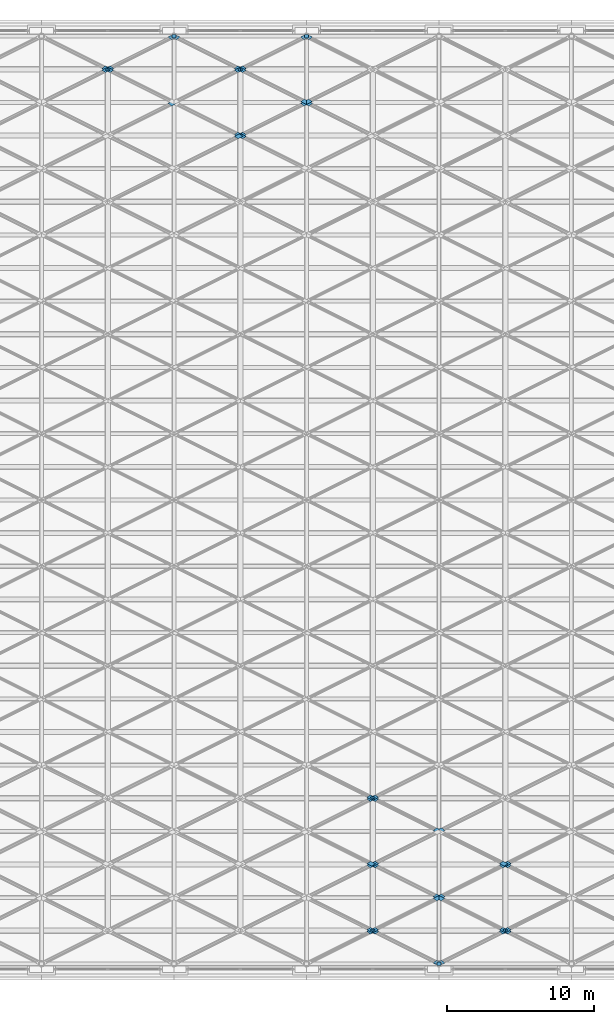
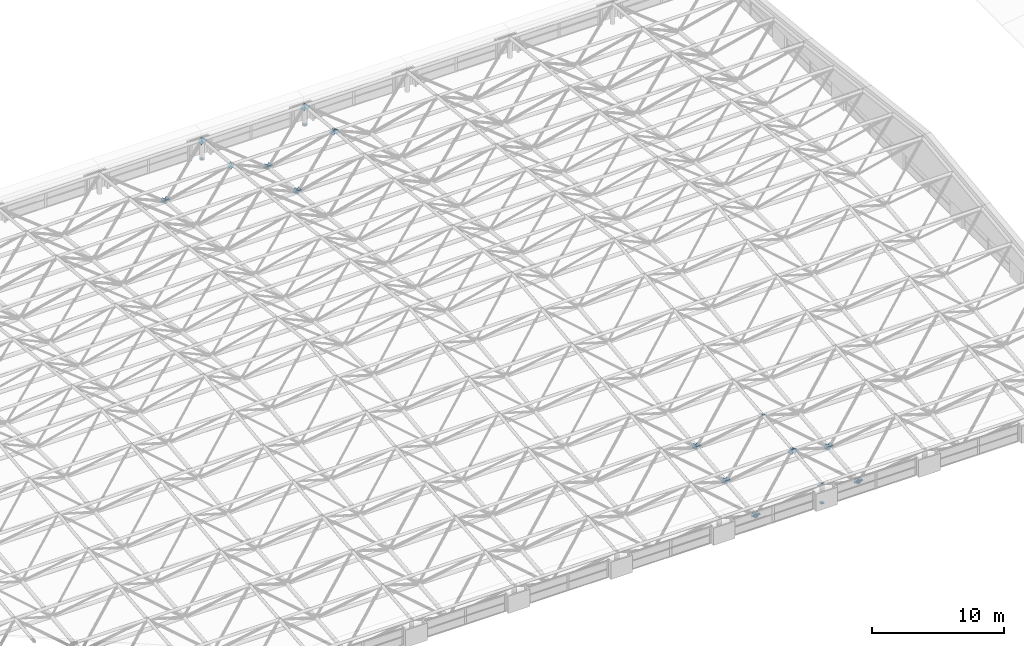
# One storey, part 43 of 53: 52 discrete accessories.
"""IFC4 building model written with IfcOpenShell, lengths in metres."""

from ifc_helpers import new_model, si_unit, direction, frame, origin, origin_2d, place, context, subcontext, project, spatial, polyline, rectangle, outline, extrude, material, layer, layer_set, type_object, element, save


model = new_model("IFC4")

# Units and contexts
model_context = context("Model", 3, precision=1e-05, world=origin(), true_north=direction((0.0, 1.0)))
body_context = subcontext(model_context, "Body", "Model", "MODEL_VIEW")
ifc_project = project(units=[si_unit("LENGTHUNIT", "METRE"), si_unit("AREAUNIT", "SQUARE_METRE"), si_unit("VOLUMEUNIT", "CUBIC_METRE"), si_unit("PLANEANGLEUNIT", "RADIAN"), si_unit("MASSUNIT", "GRAM", prefix="KILO")], contexts=[model_context])

# Site, building, storey
site_placement = place(None, origin())
site = spatial("IfcSite", under=ifc_project, at=site_placement, CompositionType="ELEMENT")
building_placement = place(site_placement, origin())
building = spatial("IfcBuilding", under=site, at=building_placement, Name="Aravalli Gate Trade Fair Centre", CompositionType="ELEMENT")
storey_placement = place(building_placement, frame((0.0, 0.0, 25.199951171875)))
storey = spatial("IfcBuildingStorey", under=building, at=storey_placement, Name="ROOF LEVEL 2", CompositionType="ELEMENT", Elevation=25.199951171875)

# Discrete accessories
ifc_material = material(Name="Steel E350", Category="steel")
discrete_accessory_type_1 = type_object("IfcDiscreteAccessoryType", Name="Bearing shoe fixed", PredefinedType="BRACKET", material=ifc_material)
discrete_accessory_1_placement = place(storey_placement, frame((78.0, 46.0, 0.0), z_axis=(0.0, 0.0, 1.0), x_axis=(1.0, 0.0, 0.0)))
element("IfcDiscreteAccessory", 1, at=discrete_accessory_1_placement, inside=storey, type_object=discrete_accessory_type_1, Name="Bearing shoe A9 (fixed)", PredefinedType="BRACKET", context=body_context, shape_type="SweptSolid", body=[
    extrude(rectangle(XDim=0.260009765625, YDim=0.260009765625, at=origin_2d()), origin(), (0.0, 0.0, 1.0), 0.10009765625),
])
discrete_accessory_type_2 = type_object("IfcDiscreteAccessoryType", Name="Bearing shoe sliding along the vault", PredefinedType="BRACKET", material=ifc_material)
for number, where, z_axis, x_axis, name in (
    (2, (60.0, 109.0, 0.0), (0.0, 0.0, 1.0), (1.0, 0.0, 0.0), "Bearing shoe H7 (sliding)"),
    (3, (69.0, 109.0, 0.0), (0.0, 0.0, 1.0), (1.0, 0.0, 0.0), "Bearing shoe H8 (sliding)"),
):
    element("IfcDiscreteAccessory", number, at=place(storey_placement, frame(where, z_axis=z_axis, x_axis=x_axis)), inside=storey, type_object=discrete_accessory_type_2, Name=name, PredefinedType="BRACKET", context=body_context, shape_type="SweptSolid", body=[
        extrude(rectangle(XDim=0.260009765625, YDim=0.260009765625, at=origin_2d()), origin(), (0.0, 0.0, 1.0), 0.10009765625),
    ])
ifc_layer = layer(ifc_material, 0.011962890625)
ifc_layer_set = layer_set([ifc_layer], Name="Steel E350")
discrete_accessory_type_3 = type_object("IfcDiscreteAccessoryType", Name="Gusset plate 367 x 367 x 12", PredefinedType="USERDEFINED", material=ifc_layer_set)
discrete_accessory_2_placement = place(storey_placement, frame((73.0986328125, 48.201416015625, -0.905517578125), z_axis=(-0.000106895173, 0.77673595722, 0.629826358082), x_axis=(0.783044443413, 0.391795440284, -0.483050445204)))
element("IfcDiscreteAccessory", 4, at=discrete_accessory_2_placement, inside=storey, type_object=discrete_accessory_type_3, Name="Gusset plate Space frame web diagonal D1A end B", ObjectType="GUSSET PLATE", PredefinedType="USERDEFINED", context=body_context, shape_type="SweptSolid", body=[
    extrude(outline(polyline([(0.0, 0.0), (0.4467862821424865, 0.0), (0.4468639253124893, -0.3669184164565776), (7.764317000273635e-05, -0.36691841645657763), (0.0, 0.0)])), origin(), (0.0, 0.0, -1.0), 0.011962890625),
])
discrete_accessory_3_placement = place(storey_placement, frame((78.173095703125, 46.23876953125, 1.51513671875), z_axis=(-0.000106895173, 0.77673595722, 0.629826358082), x_axis=(-0.783044443413, -0.391795440284, 0.483050445204)))
element("IfcDiscreteAccessory", 5, at=discrete_accessory_3_placement, inside=storey, type_object=discrete_accessory_type_3, Name="Gusset plate Space frame web diagonal D1A end A", ObjectType="GUSSET PLATE", PredefinedType="USERDEFINED", context=body_context, shape_type="SweptSolid", body=[
    extrude(outline(polyline([(0.0, 0.0), (0.4467862821424865, 0.0), (0.4467086389724838, 0.36691841645657763), (-7.764317000273635e-05, 0.36691841645657763), (0.0, 0.0)])), origin(), (0.0, 0.0, -1.0), 0.011962890625),
])
for number, where, z_axis, x_axis, name in (
    (6, (82.0986328125, 48.201416015625, -0.905517578125), (-0.000106895173, 0.77673595722, 0.629826358082), (0.783044443413, 0.391795440284, -0.483050445204), "Gusset plate Space frame web diagonal D1A end B"),
    (7, (73.0986328125, 52.701416015625, -0.45556640625), (-0.000106895173, 0.77673595722, 0.629826358082), (0.783044443413, 0.391795440284, -0.483050445204), "Gusset plate Space frame web diagonal D1A end B"),
):
    element("IfcDiscreteAccessory", number, at=place(storey_placement, frame(where, z_axis=z_axis, x_axis=x_axis)), inside=storey, type_object=discrete_accessory_type_3, Name=name, ObjectType="GUSSET PLATE", PredefinedType="USERDEFINED", context=body_context, shape_type="SweptSolid", body=[
        extrude(outline(polyline([(0.0, 0.0), (0.4467862821424865, 0.0), (0.4468639253124893, -0.3669184164565776), (7.764317000273635e-05, -0.36691841645657763), (0.0, 0.0)])), origin(), (0.0, 0.0, -1.0), 0.011962890625),
    ])
discrete_accessory_4_placement = place(storey_placement, frame((78.173095703125, 50.73876953125, 1.965087890625), z_axis=(-0.000106895173, 0.77673595722, 0.629826358082), x_axis=(-0.783044443413, -0.391795440284, 0.483050445204)))
element("IfcDiscreteAccessory", 8, at=discrete_accessory_4_placement, inside=storey, type_object=discrete_accessory_type_3, Name="Gusset plate Space frame web diagonal D1A end A", ObjectType="GUSSET PLATE", PredefinedType="USERDEFINED", context=body_context, shape_type="SweptSolid", body=[
    extrude(outline(polyline([(0.0, 0.0), (0.4467862821424865, 0.0), (0.4467086389724838, 0.36691841645657763), (-7.764317000273635e-05, 0.36691841645657763), (0.0, 0.0)])), origin(), (0.0, 0.0, -1.0), 0.011962890625),
])
for number, where, z_axis, x_axis, name in (
    (9, (82.0986328125, 52.701416015625, -0.45556640625), (-0.000106895173, 0.77673595722, 0.629826358082), (0.783044443413, 0.391795440284, -0.483050445204), "Gusset plate Space frame web diagonal D1A end B"),
    (10, (73.0986328125, 57.201416015625, -0.005615234375), (-0.000106895173, 0.77673595722, 0.629826358082), (0.783044443413, 0.391795440284, -0.483050445204), "Gusset plate Space frame web diagonal D1A end B"),
):
    element("IfcDiscreteAccessory", number, at=place(storey_placement, frame(where, z_axis=z_axis, x_axis=x_axis)), inside=storey, type_object=discrete_accessory_type_3, Name=name, ObjectType="GUSSET PLATE", PredefinedType="USERDEFINED", context=body_context, shape_type="SweptSolid", body=[
        extrude(outline(polyline([(0.0, 0.0), (0.4467862821424865, 0.0), (0.4468639253124893, -0.3669184164565776), (7.764317000273635e-05, -0.36691841645657763), (0.0, 0.0)])), origin(), (0.0, 0.0, -1.0), 0.011962890625),
    ])
discrete_accessory_5_placement = place(storey_placement, frame((78.173095703125, 55.23876953125, 2.4150390625), z_axis=(-0.000106895173, 0.77673595722, 0.629826358082), x_axis=(-0.783044443413, -0.391795440284, 0.483050445204)))
element("IfcDiscreteAccessory", 11, at=discrete_accessory_5_placement, inside=storey, type_object=discrete_accessory_type_3, Name="Gusset plate Space frame web diagonal D1A end A", ObjectType="GUSSET PLATE", PredefinedType="USERDEFINED", context=body_context, shape_type="SweptSolid", body=[
    extrude(outline(polyline([(0.0, 0.0), (0.4467862821424865, 0.0), (0.4467086389724838, 0.36691841645657763), (-7.764317000273635e-05, 0.36691841645657763), (0.0, 0.0)])), origin(), (0.0, 0.0, -1.0), 0.011962890625),
])
discrete_accessory_6_placement = place(storey_placement, frame((77.5986328125, 46.057861328125, 1.73828125), z_axis=(0.000106895173, 0.77673595722, 0.629826358082), x_axis=(0.783044443413, -0.391795440284, 0.483050445204)))
element("IfcDiscreteAccessory", 12, at=discrete_accessory_6_placement, inside=storey, type_object=discrete_accessory_type_3, Name="Gusset plate Space frame web diagonal D1B end A", ObjectType="GUSSET PLATE", PredefinedType="USERDEFINED", context=body_context, shape_type="SweptSolid", body=[
    extrude(outline(polyline([(0.0, 0.0), (0.4467862821424865, 0.0), (0.4468639253124893, 0.3669184164565776), (7.764317000273635e-05, 0.36691841645657763), (0.0, 0.0)])), origin(), (0.0, 0.0, -1.0), 0.011962890625),
])
for number, where, z_axis, x_axis, name in (
    (13, (73.673095703125, 48.0205078125, -0.682373046875), (0.000106895173, 0.77673595722, 0.629826358082), (-0.783044443413, 0.391795440284, -0.483050445204), "Gusset plate Space frame web diagonal D1B end B"),
    (14, (82.673095703125, 48.0205078125, -0.682373046875), (0.000106895173, 0.77673595722, 0.629826358082), (-0.783044443413, 0.391795440284, -0.483050445204), "Gusset plate Space frame web diagonal D1B end B"),
):
    element("IfcDiscreteAccessory", number, at=place(storey_placement, frame(where, z_axis=z_axis, x_axis=x_axis)), inside=storey, type_object=discrete_accessory_type_3, Name=name, ObjectType="GUSSET PLATE", PredefinedType="USERDEFINED", context=body_context, shape_type="SweptSolid", body=[
        extrude(outline(polyline([(0.0, 0.0), (0.4467862821424865, 0.0), (0.4467086389724838, -0.36691841645657763), (-7.764317000273635e-05, -0.36691841645657763), (0.0, 0.0)])), origin(), (0.0, 0.0, -1.0), 0.011962890625),
    ])
discrete_accessory_7_placement = place(storey_placement, frame((77.5986328125, 50.557861328125, 2.188232421875), z_axis=(0.000106895173, 0.77673595722, 0.629826358082), x_axis=(0.783044443413, -0.391795440284, 0.483050445204)))
element("IfcDiscreteAccessory", 15, at=discrete_accessory_7_placement, inside=storey, type_object=discrete_accessory_type_3, Name="Gusset plate Space frame web diagonal D1B end A", ObjectType="GUSSET PLATE", PredefinedType="USERDEFINED", context=body_context, shape_type="SweptSolid", body=[
    extrude(outline(polyline([(0.0, 0.0), (0.4467862821424865, 0.0), (0.4468639253124893, 0.3669184164565776), (7.764317000273635e-05, 0.36691841645657763), (0.0, 0.0)])), origin(), (0.0, 0.0, -1.0), 0.011962890625),
])
for number, where, z_axis, x_axis, name in (
    (16, (73.673095703125, 52.5205078125, -0.232421875), (0.000106895173, 0.77673595722, 0.629826358082), (-0.783044443413, 0.391795440284, -0.483050445204), "Gusset plate Space frame web diagonal D1B end B"),
    (17, (82.673095703125, 52.5205078125, -0.232421875), (0.000106895173, 0.77673595722, 0.629826358082), (-0.783044443413, 0.391795440284, -0.483050445204), "Gusset plate Space frame web diagonal D1B end B"),
):
    element("IfcDiscreteAccessory", number, at=place(storey_placement, frame(where, z_axis=z_axis, x_axis=x_axis)), inside=storey, type_object=discrete_accessory_type_3, Name=name, ObjectType="GUSSET PLATE", PredefinedType="USERDEFINED", context=body_context, shape_type="SweptSolid", body=[
        extrude(outline(polyline([(0.0, 0.0), (0.4467862821424865, 0.0), (0.4467086389724838, -0.36691841645657763), (-7.764317000273635e-05, -0.36691841645657763), (0.0, 0.0)])), origin(), (0.0, 0.0, -1.0), 0.011962890625),
    ])
discrete_accessory_8_placement = place(storey_placement, frame((77.5986328125, 55.057861328125, 2.63818359375), z_axis=(0.000106895173, 0.77673595722, 0.629826358082), x_axis=(0.783044443413, -0.391795440284, 0.483050445204)))
element("IfcDiscreteAccessory", 18, at=discrete_accessory_8_placement, inside=storey, type_object=discrete_accessory_type_3, Name="Gusset plate Space frame web diagonal D1B end A", ObjectType="GUSSET PLATE", PredefinedType="USERDEFINED", context=body_context, shape_type="SweptSolid", body=[
    extrude(outline(polyline([(0.0, 0.0), (0.4467862821424865, 0.0), (0.4468639253124893, 0.3669184164565776), (7.764317000273635e-05, 0.36691841645657763), (0.0, 0.0)])), origin(), (0.0, 0.0, -1.0), 0.011962890625),
])
discrete_accessory_9_placement = place(storey_placement, frame((73.673095703125, 57.0205078125, 0.217529296875), z_axis=(0.000106895173, 0.77673595722, 0.629826358082), x_axis=(-0.783044443413, 0.391795440284, -0.483050445204)))
element("IfcDiscreteAccessory", 19, at=discrete_accessory_9_placement, inside=storey, type_object=discrete_accessory_type_3, Name="Gusset plate Space frame web diagonal D1B end B", ObjectType="GUSSET PLATE", PredefinedType="USERDEFINED", context=body_context, shape_type="SweptSolid", body=[
    extrude(outline(polyline([(0.0, 0.0), (0.4467862821424865, 0.0), (0.4467086389724838, -0.36691841645657763), (-7.764317000273635e-05, -0.36691841645657763), (0.0, 0.0)])), origin(), (0.0, 0.0, -1.0), 0.011962890625),
])
discrete_accessory_10_placement = place(storey_placement, frame((73.103271484375, 48.30419921875, -0.886962890625), z_axis=(-0.000292195819, -0.820164189793, 0.572128146837), x_axis=(0.753132087854, -0.376566043927, -0.539434956975)))
element("IfcDiscreteAccessory", 20, at=discrete_accessory_10_placement, inside=storey, type_object=discrete_accessory_type_3, Name="Gusset plate Space frame web diagonal D1C end B", ObjectType="GUSSET PLATE", PredefinedType="USERDEFINED", context=body_context, shape_type="SweptSolid", body=[
    extrude(outline(polyline([(0.0, 0.0), (0.4467022275054028, -2.7755575615628914e-17), (0.4466682021894723, 0.366693771917302), (-3.402531593046931e-05, 0.366693771917302), (0.0, 0.0)])), origin(), (0.0, 0.0, -1.0), 0.011962890625),
])
discrete_accessory_11_placement = place(storey_placement, frame((78.155517578125, 50.278076171875, 1.9423828125), z_axis=(-0.000292195819, -0.820164189793, 0.572128146837), x_axis=(-0.753132087854, 0.376566043927, 0.539434956975)))
element("IfcDiscreteAccessory", 21, at=discrete_accessory_11_placement, inside=storey, type_object=discrete_accessory_type_3, Name="Gusset plate Space frame web diagonal D1C end A", ObjectType="GUSSET PLATE", PredefinedType="USERDEFINED", context=body_context, shape_type="SweptSolid", body=[
    extrude(outline(polyline([(0.0, 0.0), (0.4467022275054028, -2.7755575615628914e-17), (0.4467362528213333, -0.36669377191730207), (3.402531593046931e-05, -0.366693771917302), (0.0, 0.0)])), origin(), (0.0, 0.0, -1.0), 0.011962890625),
])
discrete_accessory_12_placement = place(storey_placement, frame((82.103271484375, 48.30419921875, -0.886962890625), z_axis=(-0.000292195819, -0.820164189793, 0.572128146837), x_axis=(0.753132087854, -0.376566043927, -0.539434956975)))
element("IfcDiscreteAccessory", 22, at=discrete_accessory_12_placement, inside=storey, type_object=discrete_accessory_type_3, Name="Gusset plate Space frame web diagonal D1C end B", ObjectType="GUSSET PLATE", PredefinedType="USERDEFINED", context=body_context, shape_type="SweptSolid", body=[
    extrude(outline(polyline([(0.0, 0.0), (0.4467022275054028, -2.7755575615628914e-17), (0.4466682021894723, 0.366693771917302), (-3.402531593046931e-05, 0.366693771917302), (0.0, 0.0)])), origin(), (0.0, 0.0, -1.0), 0.011962890625),
])
for number, where, z_axis, x_axis, name in (
    (23, (73.103271484375, 52.80419921875, -0.436767578125), (-4.9126691e-05, -0.820140995503, 0.572161467667), (0.752910034648, -0.376583216139, -0.539732860821), "Gusset plate Space frame web diagonal D1C end B"),
    (24, (82.103271484375, 52.80419921875, -0.436767578125), (-4.9126691e-05, -0.820140995503, 0.572161467667), (0.752910034648, -0.376583216139, -0.539732860821), "Gusset plate Space frame web diagonal D1C end B"),
):
    element("IfcDiscreteAccessory", number, at=place(storey_placement, frame(where, z_axis=z_axis, x_axis=x_axis)), inside=storey, type_object=discrete_accessory_type_3, Name=name, ObjectType="GUSSET PLATE", PredefinedType="USERDEFINED", context=body_context, shape_type="SweptSolid", body=[
        extrude(outline(polyline([(0.0, 0.0), (0.4468339673229258, 0.0), (0.44667617399978776, 0.366693732894023), (-2.6022605164321977e-05, 0.3665429734004617), (0.0, 0.0)])), origin(), (0.0, 0.0, -1.0), 0.011962890625),
    ])
discrete_accessory_13_placement = place(storey_placement, frame((73.103271484375, 57.30419921875, 0.01318359375), z_axis=(-5.6748583e-05, -0.820281851296, 0.571959510117), x_axis=(0.752910033129, -0.376455016564, -0.539822287904)))
element("IfcDiscreteAccessory", 25, at=discrete_accessory_13_placement, inside=storey, type_object=discrete_accessory_type_3, Name="Gusset plate Space frame web diagonal D1C end B", ObjectType="GUSSET PLATE", PredefinedType="USERDEFINED", context=body_context, shape_type="SweptSolid", body=[
    extrude(outline(polyline([(0.0, 0.0), (0.44683397278152426, 2.7755575615628914e-17), (0.446676168543117, 0.36669373954089096), (-0.0001578042384072914, 0.3666937395408909), (0.0, 0.0)])), origin(), (0.0, 0.0, -1.0), 0.011962890625),
])
discrete_accessory_14_placement = place(storey_placement, frame((77.603271484375, 50.43603515625, 2.1689453125), z_axis=(0.000292195819, -0.820164189793, 0.572128146837), x_axis=(0.753132087854, 0.376566043927, 0.539434956975)))
element("IfcDiscreteAccessory", 26, at=discrete_accessory_14_placement, inside=storey, type_object=discrete_accessory_type_3, Name="Gusset plate Space frame web diagonal D1D end A", ObjectType="GUSSET PLATE", PredefinedType="USERDEFINED", context=body_context, shape_type="SweptSolid", body=[
    extrude(outline(polyline([(0.0, 0.0), (0.4467022275054028, 2.7755575615628914e-17), (0.4466682021894723, -0.366693771917302), (-3.402531593046931e-05, -0.366693771917302), (0.0, 0.0)])), origin(), (0.0, 0.0, -1.0), 0.011962890625),
])
for number, where, z_axis, x_axis, name in (
    (27, (73.655517578125, 48.462158203125, -0.660400390625), (0.000292195819, -0.820164189793, 0.572128146837), (-0.753132087854, -0.376566043927, -0.539434956975), "Gusset plate Space frame web diagonal D1D end B"),
    (28, (82.655517578125, 48.462158203125, -0.660400390625), (0.000292195819, -0.820164189793, 0.572128146837), (-0.753132087854, -0.376566043927, -0.539434956975), "Gusset plate Space frame web diagonal D1D end B"),
):
    element("IfcDiscreteAccessory", number, at=place(storey_placement, frame(where, z_axis=z_axis, x_axis=x_axis)), inside=storey, type_object=discrete_accessory_type_3, Name=name, ObjectType="GUSSET PLATE", PredefinedType="USERDEFINED", context=body_context, shape_type="SweptSolid", body=[
        extrude(outline(polyline([(0.0, 0.0), (0.4467022275054028, 2.7755575615628914e-17), (0.4467362528213333, 0.36669377191730207), (3.402531593046931e-05, 0.366693771917302), (0.0, 0.0)])), origin(), (0.0, 0.0, -1.0), 0.011962890625),
    ])
for number, where, z_axis, x_axis, name in (
    (29, (73.655517578125, 52.962158203125, -0.21044921875), (4.9126691e-05, -0.820140995503, 0.572161467667), (-0.753132104741, -0.376437815746, -0.539524423623), "Gusset plate Space frame web diagonal D1D end B"),
    (30, (82.655517578125, 52.962158203125, -0.21044921875), (4.9126691e-05, -0.820140995503, 0.572161467667), (-0.753132104741, -0.376437815746, -0.539524423623), "Gusset plate Space frame web diagonal D1D end B"),
):
    element("IfcDiscreteAccessory", number, at=place(storey_placement, frame(where, z_axis=z_axis, x_axis=x_axis)), inside=storey, type_object=discrete_accessory_type_3, Name=name, ObjectType="GUSSET PLATE", PredefinedType="USERDEFINED", context=body_context, shape_type="SweptSolid", body=[
        extrude(outline(polyline([(0.0, 0.0), (0.4467022220451944, 0.0), (0.44673625828195757, 0.3666937652647241), (-9.768359322287479e-05, 0.3665429613078708), (0.0, 0.0)])), origin(), (0.0, 0.0, -1.0), 0.011962890625),
    ])
discrete_accessory_15_placement = place(storey_placement, frame((73.655517578125, 57.462158203125, 0.23974609375), z_axis=(5.6748583e-05, -0.820281851296, 0.571959510117), x_axis=(-0.752910033129, -0.376455016564, -0.539822287904)))
element("IfcDiscreteAccessory", 31, at=discrete_accessory_15_placement, inside=storey, type_object=discrete_accessory_type_3, Name="Gusset plate Space frame web diagonal D1D end B", ObjectType="GUSSET PLATE", PredefinedType="USERDEFINED", context=body_context, shape_type="SweptSolid", body=[
    extrude(outline(polyline([(0.0, 0.0), (0.44683397278152426, -2.7755575615628914e-17), (0.44699177701993154, 0.3666937395408909), (0.0001578042384072914, 0.3666937395408909), (0.0, 0.0)])), origin(), (0.0, 0.0, -1.0), 0.011962890625),
])
discrete_accessory_16_placement = place(storey_placement, frame((64.103271484375, 102.19580078125, -0.436767578125), z_axis=(-4.9126691e-05, 0.820140995503, 0.572161467667), x_axis=(0.752910034648, 0.376583216139, -0.539732860821)))
element("IfcDiscreteAccessory", 32, at=discrete_accessory_16_placement, inside=storey, type_object=discrete_accessory_type_3, Name="Gusset plate Space frame web diagonal D6A end B", ObjectType="GUSSET PLATE", PredefinedType="USERDEFINED", context=body_context, shape_type="SweptSolid", body=[
    extrude(outline(polyline([(0.0, 0.0), (0.4468339673229258, 0.0), (0.44667617399978776, -0.366693732894023), (-2.6022605164321977e-05, -0.3665429734004617), (0.0, 0.0)])), origin(), (0.0, 0.0, -1.0), 0.011962890625),
])
for number, where, z_axis, x_axis, name in (
    (33, (55.103271484375, 106.69580078125, -0.886962890625), (-0.000292195819, 0.820164189793, 0.572128146837), (0.753132087854, 0.376566043927, -0.539434956975), "Gusset plate Space frame web diagonal D6A end B"),
    (34, (64.103271484375, 106.69580078125, -0.886962890625), (-0.000292195819, 0.820164189793, 0.572128146837), (0.753132087854, 0.376566043927, -0.539434956975), "Gusset plate Space frame web diagonal D6A end B"),
):
    element("IfcDiscreteAccessory", number, at=place(storey_placement, frame(where, z_axis=z_axis, x_axis=x_axis)), inside=storey, type_object=discrete_accessory_type_3, Name=name, ObjectType="GUSSET PLATE", PredefinedType="USERDEFINED", context=body_context, shape_type="SweptSolid", body=[
        extrude(outline(polyline([(0.0, 0.0), (0.4467022275054028, 2.7755575615628914e-17), (0.4466682021894723, -0.366693771917302), (-3.402531593046931e-05, -0.366693771917302), (0.0, 0.0)])), origin(), (0.0, 0.0, -1.0), 0.011962890625),
    ])
discrete_accessory_17_placement = place(storey_placement, frame((69.155517578125, 104.721923828125, 1.9423828125), z_axis=(-0.000292195819, 0.820164189793, 0.572128146837), x_axis=(-0.753132087854, -0.376566043927, 0.539434956975)))
element("IfcDiscreteAccessory", 35, at=discrete_accessory_17_placement, inside=storey, type_object=discrete_accessory_type_3, Name="Gusset plate Space frame web diagonal D6A end A", ObjectType="GUSSET PLATE", PredefinedType="USERDEFINED", context=body_context, shape_type="SweptSolid", body=[
    extrude(outline(polyline([(0.0, 0.0), (0.4467022275054028, 2.7755575615628914e-17), (0.4467362528213333, 0.36669377191730207), (3.402531593046931e-05, 0.366693771917302), (0.0, 0.0)])), origin(), (0.0, 0.0, -1.0), 0.011962890625),
])
discrete_accessory_18_placement = place(storey_placement, frame((64.655517578125, 102.037841796875, -0.21044921875), z_axis=(4.9126691e-05, 0.820140995503, 0.572161467667), x_axis=(-0.753132104741, 0.376437815746, -0.539524423623)))
element("IfcDiscreteAccessory", 36, at=discrete_accessory_18_placement, inside=storey, type_object=discrete_accessory_type_3, Name="Gusset plate Space frame web diagonal D6B end B", ObjectType="GUSSET PLATE", PredefinedType="USERDEFINED", context=body_context, shape_type="SweptSolid", body=[
    extrude(outline(polyline([(0.0, 0.0), (0.4467022220451944, 0.0), (0.44673625828195757, -0.3666937652647241), (-9.768359322287479e-05, -0.3665429613078708), (0.0, 0.0)])), origin(), (0.0, 0.0, -1.0), 0.011962890625),
])
discrete_accessory_19_placement = place(storey_placement, frame((55.655517578125, 106.537841796875, -0.660400390625), z_axis=(0.000292195819, 0.820164189793, 0.572128146837), x_axis=(-0.753132087854, 0.376566043927, -0.539434956975)))
element("IfcDiscreteAccessory", 37, at=discrete_accessory_19_placement, inside=storey, type_object=discrete_accessory_type_3, Name="Gusset plate Space frame web diagonal D6B end B", ObjectType="GUSSET PLATE", PredefinedType="USERDEFINED", context=body_context, shape_type="SweptSolid", body=[
    extrude(outline(polyline([(0.0, 0.0), (0.4467022275054028, -2.7755575615628914e-17), (0.4467362528213333, -0.36669377191730207), (3.402531593046931e-05, -0.366693771917302), (0.0, 0.0)])), origin(), (0.0, 0.0, -1.0), 0.011962890625),
])
discrete_accessory_20_placement = place(storey_placement, frame((68.603271484375, 104.56396484375, 2.1689453125), z_axis=(0.000292195819, 0.820164189793, 0.572128146837), x_axis=(0.753132087854, -0.376566043927, 0.539434956975)))
element("IfcDiscreteAccessory", 38, at=discrete_accessory_20_placement, inside=storey, type_object=discrete_accessory_type_3, Name="Gusset plate Space frame web diagonal D6B end A", ObjectType="GUSSET PLATE", PredefinedType="USERDEFINED", context=body_context, shape_type="SweptSolid", body=[
    extrude(outline(polyline([(0.0, 0.0), (0.4467022275054028, -2.7755575615628914e-17), (0.4466682021894723, 0.366693771917302), (-3.402531593046931e-05, 0.366693771917302), (0.0, 0.0)])), origin(), (0.0, 0.0, -1.0), 0.011962890625),
])
discrete_accessory_21_placement = place(storey_placement, frame((64.655517578125, 106.537841796875, -0.660400390625), z_axis=(0.000292195819, 0.820164189793, 0.572128146837), x_axis=(-0.753132087854, 0.376566043927, -0.539434956975)))
element("IfcDiscreteAccessory", 39, at=discrete_accessory_21_placement, inside=storey, type_object=discrete_accessory_type_3, Name="Gusset plate Space frame web diagonal D6B end B", ObjectType="GUSSET PLATE", PredefinedType="USERDEFINED", context=body_context, shape_type="SweptSolid", body=[
    extrude(outline(polyline([(0.0, 0.0), (0.4467022275054028, -2.7755575615628914e-17), (0.4467362528213333, -0.36669377191730207), (3.402531593046931e-05, -0.366693771917302), (0.0, 0.0)])), origin(), (0.0, 0.0, -1.0), 0.011962890625),
])
discrete_accessory_22_placement = place(storey_placement, frame((64.0986328125, 102.298583984375, -0.45556640625), z_axis=(-0.000106895173, -0.77673595722, 0.629826358082), x_axis=(0.783044443413, -0.391795440284, -0.483050445204)))
element("IfcDiscreteAccessory", 40, at=discrete_accessory_22_placement, inside=storey, type_object=discrete_accessory_type_3, Name="Gusset plate Space frame web diagonal D6C end B", ObjectType="GUSSET PLATE", PredefinedType="USERDEFINED", context=body_context, shape_type="SweptSolid", body=[
    extrude(outline(polyline([(0.0, 0.0), (0.4467862821424865, 0.0), (0.4468639253124893, 0.3669184164565776), (7.764317000273635e-05, 0.36691841645657763), (0.0, 0.0)])), origin(), (0.0, 0.0, -1.0), 0.011962890625),
])
discrete_accessory_23_placement = place(storey_placement, frame((69.173095703125, 104.26123046875, 1.965087890625), z_axis=(-0.000106895173, -0.77673595722, 0.629826358082), x_axis=(-0.783044443413, 0.391795440284, 0.483050445204)))
element("IfcDiscreteAccessory", 41, at=discrete_accessory_23_placement, inside=storey, type_object=discrete_accessory_type_3, Name="Gusset plate Space frame web diagonal D6C end A", ObjectType="GUSSET PLATE", PredefinedType="USERDEFINED", context=body_context, shape_type="SweptSolid", body=[
    extrude(outline(polyline([(0.0, 0.0), (0.4467862821424865, 0.0), (0.4467086389724838, -0.36691841645657763), (-7.764317000273635e-05, -0.36691841645657763), (0.0, 0.0)])), origin(), (0.0, 0.0, -1.0), 0.011962890625),
])
discrete_accessory_24_placement = place(storey_placement, frame((55.0986328125, 106.798583984375, -0.905517578125), z_axis=(-0.000106895173, -0.77673595722, 0.629826358082), x_axis=(0.783044443413, -0.391795440284, -0.483050445204)))
element("IfcDiscreteAccessory", 42, at=discrete_accessory_24_placement, inside=storey, type_object=discrete_accessory_type_3, Name="Gusset plate Space frame web diagonal D6C end B", ObjectType="GUSSET PLATE", PredefinedType="USERDEFINED", context=body_context, shape_type="SweptSolid", body=[
    extrude(outline(polyline([(0.0, 0.0), (0.4467862821424865, 0.0), (0.4468639253124893, 0.3669184164565776), (7.764317000273635e-05, 0.36691841645657763), (0.0, 0.0)])), origin(), (0.0, 0.0, -1.0), 0.011962890625),
])
discrete_accessory_25_placement = place(storey_placement, frame((60.173095703125, 108.76123046875, 1.51513671875), z_axis=(-0.000106895173, -0.77673595722, 0.629826358082), x_axis=(-0.783044443413, 0.391795440284, 0.483050445204)))
element("IfcDiscreteAccessory", 43, at=discrete_accessory_25_placement, inside=storey, type_object=discrete_accessory_type_3, Name="Gusset plate Space frame web diagonal D6C end A", ObjectType="GUSSET PLATE", PredefinedType="USERDEFINED", context=body_context, shape_type="SweptSolid", body=[
    extrude(outline(polyline([(0.0, 0.0), (0.4467862821424865, 0.0), (0.4467086389724838, -0.36691841645657763), (-7.764317000273635e-05, -0.36691841645657763), (0.0, 0.0)])), origin(), (0.0, 0.0, -1.0), 0.011962890625),
])
discrete_accessory_26_placement = place(storey_placement, frame((64.0986328125, 106.798583984375, -0.905517578125), z_axis=(-0.000106895173, -0.77673595722, 0.629826358082), x_axis=(0.783044443413, -0.391795440284, -0.483050445204)))
element("IfcDiscreteAccessory", 44, at=discrete_accessory_26_placement, inside=storey, type_object=discrete_accessory_type_3, Name="Gusset plate Space frame web diagonal D6C end B", ObjectType="GUSSET PLATE", PredefinedType="USERDEFINED", context=body_context, shape_type="SweptSolid", body=[
    extrude(outline(polyline([(0.0, 0.0), (0.4467862821424865, 0.0), (0.4468639253124893, 0.3669184164565776), (7.764317000273635e-05, 0.36691841645657763), (0.0, 0.0)])), origin(), (0.0, 0.0, -1.0), 0.011962890625),
])
discrete_accessory_27_placement = place(storey_placement, frame((69.173095703125, 108.76123046875, 1.51513671875), z_axis=(-0.000106895173, -0.77673595722, 0.629826358082), x_axis=(-0.783044443413, 0.391795440284, 0.483050445204)))
element("IfcDiscreteAccessory", 45, at=discrete_accessory_27_placement, inside=storey, type_object=discrete_accessory_type_3, Name="Gusset plate Space frame web diagonal D6C end A", ObjectType="GUSSET PLATE", PredefinedType="USERDEFINED", context=body_context, shape_type="SweptSolid", body=[
    extrude(outline(polyline([(0.0, 0.0), (0.4467862821424865, 0.0), (0.4467086389724838, -0.36691841645657763), (-7.764317000273635e-05, -0.36691841645657763), (0.0, 0.0)])), origin(), (0.0, 0.0, -1.0), 0.011962890625),
])
for number, where, z_axis, x_axis, name in (
    (46, (59.5986328125, 104.442138671875, 2.188232421875), (0.000106895173, -0.77673595722, 0.629826358082), (0.783044443413, 0.391795440284, 0.483050445204), "Gusset plate Space frame web diagonal D6D end A"),
    (47, (68.5986328125, 104.442138671875, 2.188232421875), (0.000106895173, -0.77673595722, 0.629826358082), (0.783044443413, 0.391795440284, 0.483050445204), "Gusset plate Space frame web diagonal D6D end A"),
):
    element("IfcDiscreteAccessory", number, at=place(storey_placement, frame(where, z_axis=z_axis, x_axis=x_axis)), inside=storey, type_object=discrete_accessory_type_3, Name=name, ObjectType="GUSSET PLATE", PredefinedType="USERDEFINED", context=body_context, shape_type="SweptSolid", body=[
        extrude(outline(polyline([(0.0, 0.0), (0.4467862821424865, 0.0), (0.4468639253124893, -0.3669184164565776), (7.764317000273635e-05, -0.36691841645657763), (0.0, 0.0)])), origin(), (0.0, 0.0, -1.0), 0.011962890625),
    ])
discrete_accessory_28_placement = place(storey_placement, frame((64.673095703125, 102.4794921875, -0.232421875), z_axis=(0.000106895173, -0.77673595722, 0.629826358082), x_axis=(-0.783044443413, -0.391795440284, -0.483050445204)))
element("IfcDiscreteAccessory", 48, at=discrete_accessory_28_placement, inside=storey, type_object=discrete_accessory_type_3, Name="Gusset plate Space frame web diagonal D6D end B", ObjectType="GUSSET PLATE", PredefinedType="USERDEFINED", context=body_context, shape_type="SweptSolid", body=[
    extrude(outline(polyline([(0.0, 0.0), (0.4467862821424865, 0.0), (0.4467086389724838, 0.36691841645657763), (-7.764317000273635e-05, 0.36691841645657763), (0.0, 0.0)])), origin(), (0.0, 0.0, -1.0), 0.011962890625),
])
discrete_accessory_29_placement = place(storey_placement, frame((59.5986328125, 108.942138671875, 1.73828125), z_axis=(0.000106895173, -0.77673595722, 0.629826358082), x_axis=(0.783044443413, 0.391795440284, 0.483050445204)))
element("IfcDiscreteAccessory", 49, at=discrete_accessory_29_placement, inside=storey, type_object=discrete_accessory_type_3, Name="Gusset plate Space frame web diagonal D6D end A", ObjectType="GUSSET PLATE", PredefinedType="USERDEFINED", context=body_context, shape_type="SweptSolid", body=[
    extrude(outline(polyline([(0.0, 0.0), (0.4467862821424865, 0.0), (0.4468639253124893, -0.3669184164565776), (7.764317000273635e-05, -0.36691841645657763), (0.0, 0.0)])), origin(), (0.0, 0.0, -1.0), 0.011962890625),
])
discrete_accessory_30_placement = place(storey_placement, frame((55.673095703125, 106.9794921875, -0.682373046875), z_axis=(0.000106895173, -0.77673595722, 0.629826358082), x_axis=(-0.783044443413, -0.391795440284, -0.483050445204)))
element("IfcDiscreteAccessory", 50, at=discrete_accessory_30_placement, inside=storey, type_object=discrete_accessory_type_3, Name="Gusset plate Space frame web diagonal D6D end B", ObjectType="GUSSET PLATE", PredefinedType="USERDEFINED", context=body_context, shape_type="SweptSolid", body=[
    extrude(outline(polyline([(0.0, 0.0), (0.4467862821424865, 0.0), (0.4467086389724838, 0.36691841645657763), (-7.764317000273635e-05, 0.36691841645657763), (0.0, 0.0)])), origin(), (0.0, 0.0, -1.0), 0.011962890625),
])
discrete_accessory_31_placement = place(storey_placement, frame((68.5986328125, 108.942138671875, 1.73828125), z_axis=(0.000106895173, -0.77673595722, 0.629826358082), x_axis=(0.783044443413, 0.391795440284, 0.483050445204)))
element("IfcDiscreteAccessory", 51, at=discrete_accessory_31_placement, inside=storey, type_object=discrete_accessory_type_3, Name="Gusset plate Space frame web diagonal D6D end A", ObjectType="GUSSET PLATE", PredefinedType="USERDEFINED", context=body_context, shape_type="SweptSolid", body=[
    extrude(outline(polyline([(0.0, 0.0), (0.4467862821424865, 0.0), (0.4468639253124893, -0.3669184164565776), (7.764317000273635e-05, -0.36691841645657763), (0.0, 0.0)])), origin(), (0.0, 0.0, -1.0), 0.011962890625),
])
discrete_accessory_32_placement = place(storey_placement, frame((64.673095703125, 106.9794921875, -0.682373046875), z_axis=(0.000106895173, -0.77673595722, 0.629826358082), x_axis=(-0.783044443413, -0.391795440284, -0.483050445204)))
element("IfcDiscreteAccessory", 52, at=discrete_accessory_32_placement, inside=storey, type_object=discrete_accessory_type_3, Name="Gusset plate Space frame web diagonal D6D end B", ObjectType="GUSSET PLATE", PredefinedType="USERDEFINED", context=body_context, shape_type="SweptSolid", body=[
    extrude(outline(polyline([(0.0, 0.0), (0.4467862821424865, 0.0), (0.4467086389724838, 0.36691841645657763), (-7.764317000273635e-05, 0.36691841645657763), (0.0, 0.0)])), origin(), (0.0, 0.0, -1.0), 0.011962890625),
])

save(model, "model.ifc")
